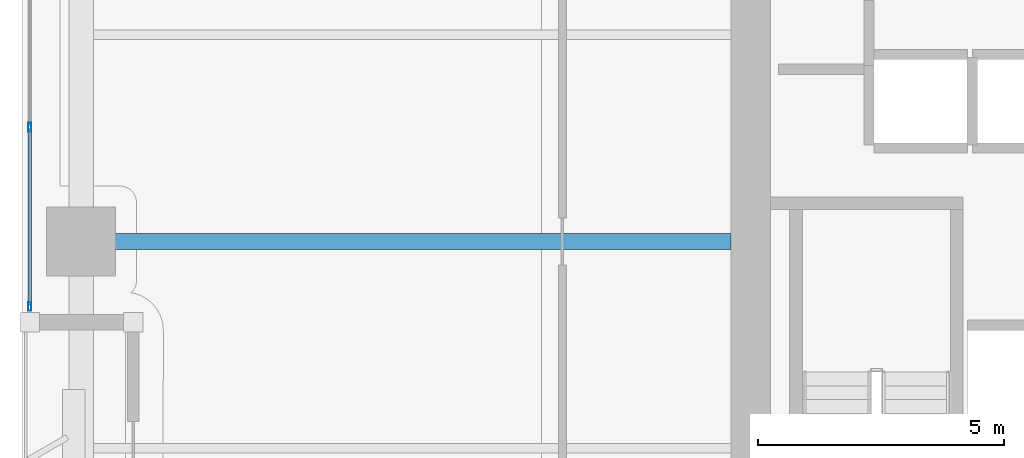
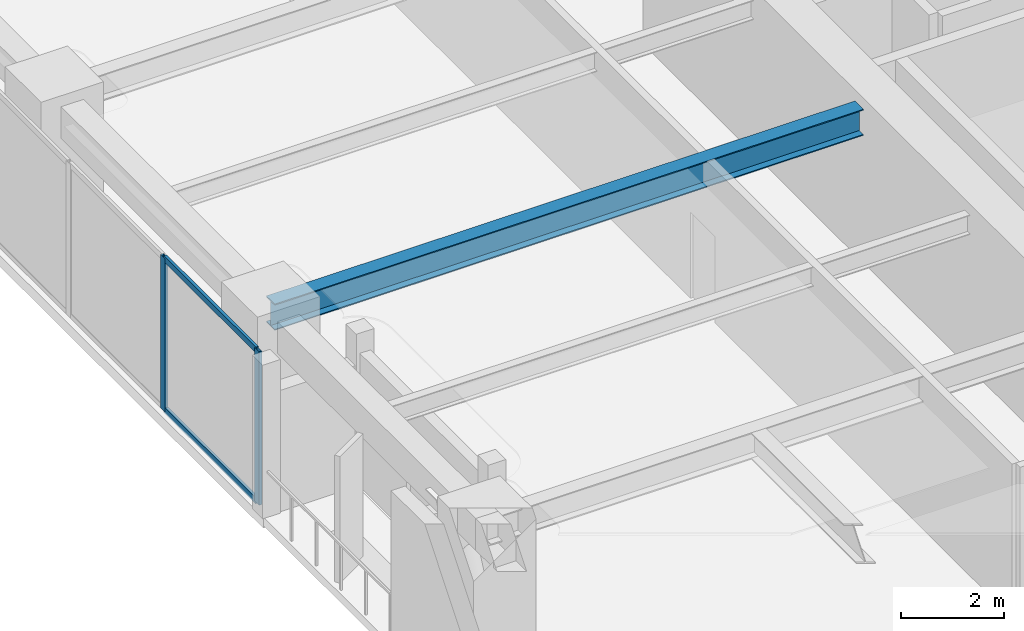
# One storey, part 2 of 24: 4 members, 1 beam, 1 element without a shape of its own.
"""IFC4 building model written with IfcOpenShell, lengths in metres."""

import ifcopenshell
import ifcopenshell.guid

model = None  # the IFC model being written
_history = None  # IfcOwnerHistory: only IFC2X3 demands one
_inside = {}  # id of a spatial element -> (the spatial element, [elements in it])
_under = {}  # id of a project, library or spatial element -> (it, [spatial elements below it])
_declared = {}  # id of a project -> (the project, [libraries it declares])
_typed = {}  # id of a type object -> (the type object, [elements of that type])
_made_of = {}  # id of a material, layer set ... -> (it, [elements and type objects made of it])


def new_model(schema):
    """Start an empty IFC model of exactly this schema.

    Asked for "IFC4X3", IfcOpenShell would pick the latest addendum, in which some entities
    have other attributes; the version numbers below select the first issue.
    IFC2X3 requires an IfcOwnerHistory on every rooted entity: one is made here for all.
    """
    global model, _history
    if schema == "IFC4X3":
        model = ifcopenshell.file(schema_version=(4, 3, 0, 0))
    else:
        model = ifcopenshell.file(schema=schema)
    _inside.clear()
    _under.clear()
    _declared.clear()
    _typed.clear()
    _made_of.clear()
    _history = None
    if model.schema == "IFC2X3":
        org = make("IfcOrganization", Name="unknown")
        user = make(
            "IfcPersonAndOrganization",
            ThePerson=make("IfcPerson", FamilyName="unknown"),
            TheOrganization=org,
        )
        app = make(
            "IfcApplication",
            ApplicationDeveloper=org,
            Version="unknown",
            ApplicationFullName="unknown",
            ApplicationIdentifier="unknown",
        )
        _history = make(
            "IfcOwnerHistory",
            OwningUser=user,
            OwningApplication=app,
            ChangeAction="ADDED",
            CreationDate=0,
        )
    return model


def make(cls, **values):
    """One entity of the class cls with the attributes given. An attribute that is None is left unset."""
    return model.create_entity(
        cls, **{name: value for name, value in values.items() if value is not None}
    )


def rooted(cls, **values):
    """An entity with a GlobalId (a new one), such as an element, a storey or a relation."""
    return make(cls, GlobalId=ifcopenshell.guid.new(), OwnerHistory=_history, **values)


def si_unit(unit_type, name, prefix=None):
    """IfcSIUnit, for example si_unit("LENGTHUNIT", "METRE", prefix="MILLI")."""
    return make("IfcSIUnit", UnitType=unit_type, Prefix=prefix, Name=name)


def assignment(units):
    """IfcUnitAssignment: the units of a project."""
    return None if units is None else make("IfcUnitAssignment", Units=units)


def point(xyz):
    """IfcCartesianPoint."""
    return None if xyz is None else make("IfcCartesianPoint", Coordinates=xyz)


def direction(xyz):
    """IfcDirection."""
    return None if xyz is None else make("IfcDirection", DirectionRatios=xyz)


def frame(location, z_axis=None, x_axis=None):
    """IfcAxis2Placement3D, a coordinate frame: its origin and axes. An axis left out is left unset."""
    return make(
        "IfcAxis2Placement3D",
        Location=point(location),
        Axis=direction(z_axis),
        RefDirection=direction(x_axis),
    )


def frame_2d(location, x_axis=None):
    """IfcAxis2Placement2D, a coordinate frame in the plane: its origin and x axis."""
    return make(
        "IfcAxis2Placement2D", Location=point(location), RefDirection=direction(x_axis)
    )


def origin():
    """The frame at (0, 0, 0) with its axes left unset."""
    return frame((0.0, 0.0, 0.0))


def origin_2d():
    """The frame at (0, 0) in the plane with its x axis left unset."""
    return frame_2d((0.0, 0.0))


def place(relative_to, where):
    """IfcLocalPlacement: puts the frame where relative to a parent placement (None: the world)."""
    return make(
        "IfcLocalPlacement", PlacementRelTo=relative_to, RelativePlacement=where
    )


def context(
    kind, dimensions, precision=None, world=None, true_north=None, identifier=None
):
    """IfcGeometricRepresentationContext, for example the 3D "Model" context."""
    return make(
        "IfcGeometricRepresentationContext",
        ContextIdentifier=identifier,
        ContextType=kind,
        CoordinateSpaceDimension=dimensions,
        Precision=precision,
        WorldCoordinateSystem=world,
        TrueNorth=true_north,
    )


def subcontext(parent, identifier, kind, view, scale=None):
    """IfcGeometricRepresentationSubContext, for example "Body" below "Model"."""
    return make(
        "IfcGeometricRepresentationSubContext",
        ContextIdentifier=identifier,
        ContextType=kind,
        ParentContext=parent,
        TargetScale=scale,
        TargetView=view,
    )


def project(units=None, contexts=None):
    """IfcProject with its units and contexts."""
    return rooted(
        "IfcProject",
        Name="project",
        RepresentationContexts=contexts,
        UnitsInContext=assignment(units),
    )


def spatial(cls, under=None, at=None, **own):
    """A site, building, storey or space (cls), placed at a placement, below another one or the project."""
    s = rooted(cls, ObjectPlacement=at, **own)
    if under is not None:
        _under.setdefault(under.id(), (under, []))[1].append(s)
    return s


def profile(cls, at=None, kind="AREA", **sizes):
    """A parametric profile (cls). Its sizes go by their IFC names, for example OverallWidth=200.0."""
    return make(cls, ProfileType=kind, Position=at, **sizes)


def hollow_rectangle(**sizes):
    """IfcRectangleHollowProfileDef."""
    return profile("IfcRectangleHollowProfileDef", **sizes)


def i_section(**sizes):
    """IfcIShapeProfileDef."""
    return profile("IfcIShapeProfileDef", **sizes)


def extrude(swept, where, along, depth):
    """IfcExtrudedAreaSolid: the profile swept, set in the frame where, extruded along a direction by depth."""
    return make(
        "IfcExtrudedAreaSolid",
        SweptArea=swept,
        Position=where,
        ExtrudedDirection=direction(along),
        Depth=depth,
    )


def shape(context_of_items, identifier, shape_type, items):
    """IfcShapeRepresentation: the items that make up one representation, for example the "Body"."""
    return make(
        "IfcShapeRepresentation",
        ContextOfItems=context_of_items,
        RepresentationIdentifier=identifier,
        RepresentationType=shape_type,
        Items=items,
    )


def material(Name=None, Category=None):
    """IfcMaterial."""
    return make("IfcMaterial", Name=Name, Category=Category)


def layer(
    of_material, thickness, ventilated=None, Name=None, Category=None, Priority=None
):
    """IfcMaterialLayer: one layer of a wall or slab, of a material (None: an air gap)."""
    return make(
        "IfcMaterialLayer",
        Material=of_material,
        LayerThickness=thickness,
        IsVentilated=ventilated,
        Name=Name,
        Category=Category,
        Priority=Priority,
    )


def layer_set(layers, Name=None):
    """IfcMaterialLayerSet."""
    return make("IfcMaterialLayerSet", MaterialLayers=layers, LayerSetName=Name)


def material_profile(
    of_material, cross_section, Name=None, Category=None, Priority=None
):
    """IfcMaterialProfile: a cross section and its material."""
    return make(
        "IfcMaterialProfile",
        Name=Name,
        Material=of_material,
        Profile=cross_section,
        Priority=Priority,
        Category=Category,
    )


def profile_set(profiles, Name=None, composite=None):
    """IfcMaterialProfileSet."""
    return make(
        "IfcMaterialProfileSet",
        Name=Name,
        MaterialProfiles=profiles,
        CompositeProfile=composite,
    )


def made_of(thing, what):
    """Note that an element or type object is made of a material, layer set ...; save() writes the relation."""
    if what is not None:
        _made_of.setdefault(what.id(), (what, []))[1].append(thing)
    return thing


def type_object(cls, material=None, **own):
    """A type object (cls), such as IfcWallType, which elements share."""
    return made_of(rooted(cls, **own), material)


def element(
    cls,
    number,
    at=None,
    inside=None,
    cuts=None,
    type_object=None,
    material=None,
    context=None,
    identifier="Body",
    shape_type=None,
    held_by="IfcProductDefinitionShape",
    body=None,
    shapes=None,
    **own,
):
    """One element of the class cls, such as IfcWall. Its Tag is "e" and its number.

    at: its placement. inside: the storey or other place that contains it. cuts: it is an
    opening in that element (IfcRelVoidsElement). A single representation is given by context,
    identifier, shape_type and body (its items); several are given by shapes. held_by: the class
    of the entity that holds the representations. save() writes the other relations.
    """
    e = rooted(cls, Tag="e%d" % number, ObjectPlacement=at, **own)
    if body is not None:
        shapes = [shape(context, identifier, shape_type, body)]
    if shapes is not None:
        e.Representation = make(held_by, Representations=shapes)
    if inside is not None:
        _inside.setdefault(inside.id(), (inside, []))[1].append(e)
    if cuts is not None:
        rooted(
            "IfcRelVoidsElement", RelatingBuildingElement=cuts, RelatedOpeningElement=e
        )
    if type_object is not None:
        _typed.setdefault(type_object.id(), (type_object, []))[1].append(e)
    return made_of(e, material)


def aggregate(whole, parts):
    """IfcRelAggregates: a whole, such as a stair, and the parts it consists of."""
    return rooted("IfcRelAggregates", RelatingObject=whole, RelatedObjects=parts)


def save(model, path):
    """Write the relations noted so far, then the file.

    IfcRelAggregates (storeys below a building ...), IfcRelContainedInSpatialStructure (elements
    in a storey), IfcRelDefinesByType, IfcRelAssociatesMaterial and IfcRelDeclares: one each for
    every whole, place, type object, material and project.
    """
    for whole, parts in _under.values():
        aggregate(whole, parts)
    for where, things in _inside.values():
        rooted(
            "IfcRelContainedInSpatialStructure",
            RelatedElements=things,
            RelatingStructure=where,
        )
    for kind, things in _typed.values():
        rooted("IfcRelDefinesByType", RelatedObjects=things, RelatingType=kind)
    for what, things in _made_of.values():
        rooted("IfcRelAssociatesMaterial", RelatedObjects=things, RelatingMaterial=what)
    for by, libraries in _declared.values():
        rooted("IfcRelDeclares", RelatingContext=by, RelatedDefinitions=libraries)
    model.write(path)


model = new_model("IFC4")

# Units and contexts
model_context = context("Model", 3, precision=1e-05, world=origin(), true_north=direction((0.0, 1.0)))
body_context = subcontext(model_context, "Body", "Model", "MODEL_VIEW")
ifc_project = project(units=[si_unit("LENGTHUNIT", "METRE"), si_unit("AREAUNIT", "SQUARE_METRE"), si_unit("VOLUMEUNIT", "CUBIC_METRE"), si_unit("PLANEANGLEUNIT", "RADIAN"), si_unit("MASSUNIT", "GRAM", prefix="KILO")], contexts=[model_context])

# Site, building, storey
site_placement = place(None, origin())
site = spatial("IfcSite", under=ifc_project, at=site_placement, CompositionType="ELEMENT")
building_placement = place(site_placement, origin())
building = spatial("IfcBuilding", under=site, at=building_placement, Name="Kiyonajd Concourse Tower", CompositionType="ELEMENT")
storey_placement = place(building_placement, frame((0.0, 0.0, 105.300048828125)))
storey = spatial("IfcBuildingStorey", under=building, at=storey_placement, Name="L27", CompositionType="ELEMENT", Elevation=105.300048828125)

# Beam
ifc_material_1 = material(Name="Steel ASTM A992 Grade 50", Category="steel")
ifc_material_profile_1 = material_profile(ifc_material_1, i_section(OverallWidth=0.326904296875, OverallDepth=0.6220703125, WebThickness=0.015380859375, FlangeThickness=0.0244140625, at=origin_2d()), Name="W610X195")
ifc_profile_set_1 = profile_set([ifc_material_profile_1], Name="Steel ASTM A992 Grade 50")
beam_type = type_object("IfcBeamType", Name="BM-TWR-610A", PredefinedType="BEAM", material=ifc_profile_set_1)
beam_placement = place(storey_placement, frame((19.199951171875, 36.0, 3.328857421875), z_axis=(1.0, 0.0, 0.0), x_axis=(0.0, 1.0, 0.0)))
element("IfcBeam", 1, at=beam_placement, inside=storey, type_object=beam_type, Name="L27 West Lease Girder", PredefinedType="BEAM", context=body_context, shape_type="SweptSolid", body=[
    extrude(i_section(OverallWidth=0.326904296875, OverallDepth=0.6220703125, WebThickness=0.015380859375, FlangeThickness=0.0244140625, at=origin_2d()), origin(), (0.0, 0.0, 1.0), 13.199951171875),
])

# Curtain wall, members
ifc_material_2 = material(Name="Thermally Broken Anodised Aluminium", Category="aluminium")
ifc_layer = layer(ifc_material_2, 0.179931640625)
ifc_layer_set = layer_set([ifc_layer], Name="Thermally Broken Anodised Aluminium")
curtain_wall_type = type_object("IfcCurtainWallType", Name="CW-SYS-03", PredefinedType="NOTDEFINED", material=ifc_layer_set)
curtain_wall_placement = place(storey_placement, origin())
curtain_wall = element("IfcCurtainWall", 2, at=curtain_wall_placement, inside=storey, type_object=curtain_wall_type, Name="L27 Unitised Curtain Wall CW3", PredefinedType="NOTDEFINED")
ifc_material_profile_2 = material_profile(ifc_material_2, hollow_rectangle(XDim=0.06494140625, YDim=0.179931640625, WallThickness=0.00390625, at=origin_2d()), Name="MULL-65x180")
ifc_profile_set_2 = profile_set([ifc_material_profile_2], Name="Thermally Broken Anodised Aluminium")
member_type_1 = type_object("IfcMemberType", Name="MB-CW-MULL1", PredefinedType="MULLION", material=ifc_profile_set_2)
member_1_placement = place(storey_placement, frame((18.159912109375, 34.6826171875, 0.0), z_axis=(0.0, 0.0, 1.0), x_axis=(-1.0, 0.0, 0.0)))
member_1 = element("IfcMember", 3, at=member_1_placement, type_object=member_type_1, Name="CW3 mullion 1", PredefinedType="MULLION", context=body_context, shape_type="SweptSolid", body=[
    extrude(hollow_rectangle(XDim=0.06494140625, YDim=0.179931640625, WallThickness=0.00390625, at=origin_2d()), origin(), (0.0, 0.0, 1.0), 3.639892578125),
])
member_2_placement = place(storey_placement, frame((18.159912109375, 38.3232421875, 0.0), z_axis=(0.0, 0.0, 1.0), x_axis=(-1.0, 0.0, 0.0)))
member_2 = element("IfcMember", 4, at=member_2_placement, type_object=member_type_1, Name="CW3 mullion 2", PredefinedType="MULLION", context=body_context, shape_type="SweptSolid", body=[
    extrude(hollow_rectangle(XDim=0.06494140625, YDim=0.179931640625, WallThickness=0.00390625, at=origin_2d()), origin(), (0.0, 0.0, 1.0), 3.639892578125),
])
ifc_material_profile_3 = material_profile(ifc_material_2, hollow_rectangle(XDim=0.06494140625, YDim=0.139892578125, WallThickness=0.00390625, at=origin_2d()), Name="TRAN-65x140")
ifc_profile_set_3 = profile_set([ifc_material_profile_3], Name="Thermally Broken Anodised Aluminium")
member_type_2 = type_object("IfcMemberType", Name="MB-CW-TRAN1", PredefinedType="USERDEFINED", material=ifc_profile_set_3)
member_3_placement = place(storey_placement, frame((18.159912109375, 34.715087890625, 0.032470703125), z_axis=(0.0, 1.0, 0.0), x_axis=(-1.0, 0.0, 0.0)))
member_3 = element("IfcMember", 5, at=member_3_placement, type_object=member_type_2, Name="CW3 transom 1.1", ObjectType="TRANSOM", PredefinedType="USERDEFINED", context=body_context, shape_type="SweptSolid", body=[
    extrude(hollow_rectangle(XDim=0.06494140625, YDim=0.139892578125, WallThickness=0.00390625, at=origin_2d()), origin(), (0.0, 0.0, 1.0), 3.57568359375),
])
member_4_placement = place(storey_placement, frame((18.159912109375, 34.715087890625, 3.607421875), z_axis=(0.0, 1.0, 0.0), x_axis=(-1.0, 0.0, 0.0)))
member_4 = element("IfcMember", 6, at=member_4_placement, type_object=member_type_2, Name="CW3 transom 1.2", ObjectType="TRANSOM", PredefinedType="USERDEFINED", context=body_context, shape_type="SweptSolid", body=[
    extrude(hollow_rectangle(XDim=0.06494140625, YDim=0.139892578125, WallThickness=0.00390625, at=origin_2d()), origin(), (0.0, 0.0, 1.0), 3.57568359375),
])
aggregate(curtain_wall, [member_1, member_2, member_3, member_4])

save(model, "model.ifc")
